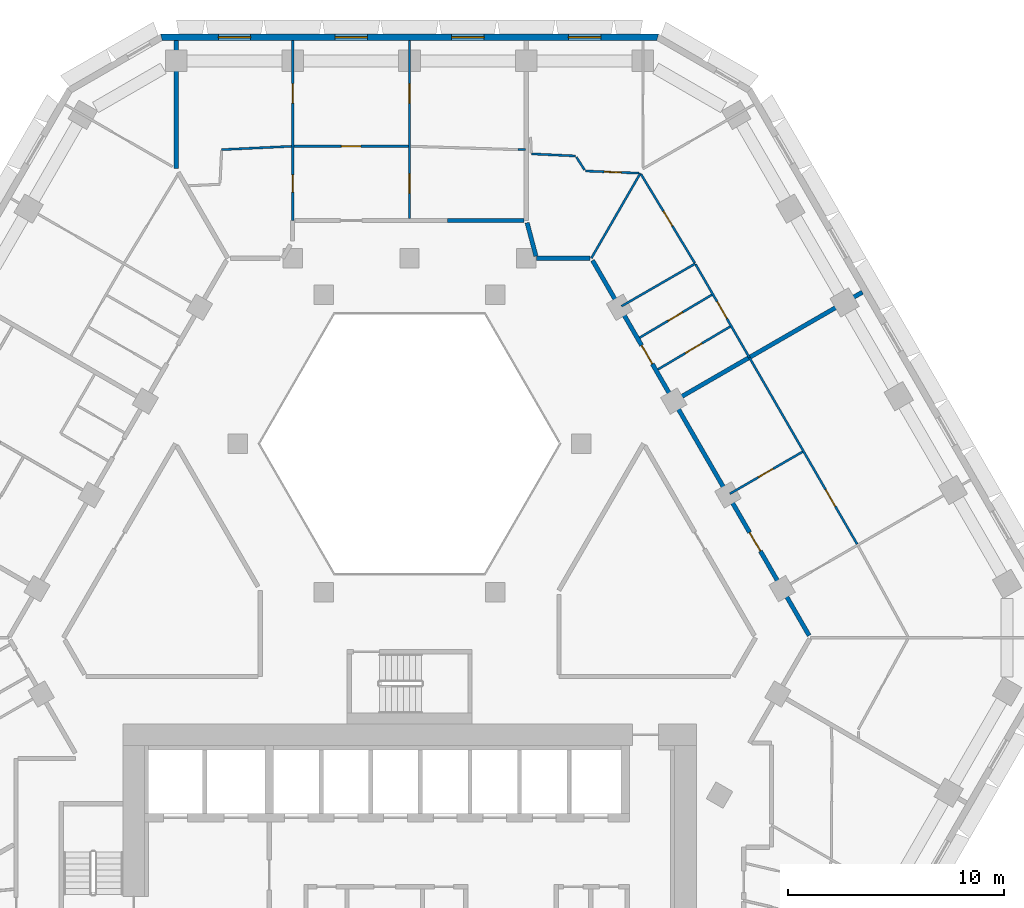
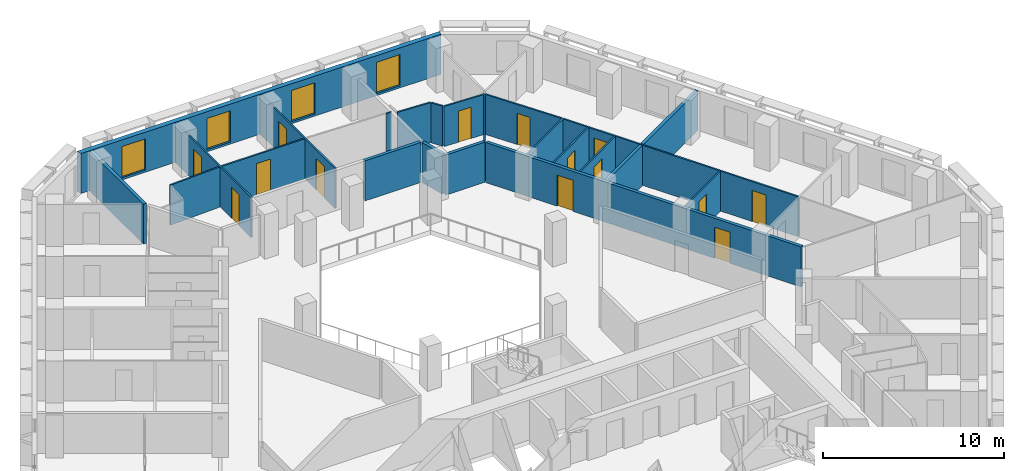
# One storey, part 9 of 16: 23 walls, 14 doors, 4 windows, 18 openings.
"""IFC4 building model written with IfcOpenShell, lengths in metres."""

from ifc_helpers import new_model, si_unit, direction, frame, frame_2d, origin, place, context, subcontext, project, spatial, polyline, rectangle, outline, extrude, material, layer, layer_set, type_object, element, fill, save


model = new_model("IFC4")

# Units and contexts
model_context = context("Model", 3, precision=1e-05, world=origin(), true_north=direction((0.0, 1.0)))
body_context = subcontext(model_context, "Body", "Model", "MODEL_VIEW")
ifc_project = project(units=[si_unit("LENGTHUNIT", "METRE"), si_unit("AREAUNIT", "SQUARE_METRE"), si_unit("VOLUMEUNIT", "CUBIC_METRE"), si_unit("PLANEANGLEUNIT", "RADIAN"), si_unit("MASSUNIT", "GRAM", prefix="KILO")], contexts=[model_context])

# Site, building, storey
site_placement = place(None, origin())
site = spatial("IfcSite", under=ifc_project, at=site_placement, CompositionType="ELEMENT")
building_placement = place(site_placement, origin())
building = spatial("IfcBuilding", under=site, at=building_placement, Name="Beryl Residences", CompositionType="ELEMENT")
storey_placement = place(building_placement, frame((0.0, 0.0, 90.0)))
storey = spatial("IfcBuildingStorey", under=building, at=storey_placement, Name="L27", CompositionType="ELEMENT", Elevation=90.0)

# Wall, openings, windows
ifc_material_1 = material(Name="Composite metal panel with mineral wool insulation")
ifc_layer_1 = layer(ifc_material_1, 0.300048828125)
ifc_layer_set_1 = layer_set([ifc_layer_1], Name="ES1 pale metal composite panel wall 300 mm")
wall_type_1 = type_object("IfcWallType", Name="ES1 pale metal composite panel wall 300 mm", PredefinedType="SOLIDWALL", material=ifc_layer_set_1)
wall_1_placement = place(storey_placement, frame((11.547119140625, 26.85009765625, 0.0), z_axis=(0.0, 0.0, 1.0), x_axis=(-1.0, 0.0, 0.0)))
wall_1 = element("IfcWall", 1, at=wall_1_placement, inside=storey, type_object=wall_type_1, Name="ES1 external wall L27 N", PredefinedType="SOLIDWALL", context=body_context, shape_type="SweptSolid", body=[
    extrude(outline(polyline([(0.0, -0.14990234375), (23.09423828125, -0.14990234375), (23.013916015625, 0.14990234375), (0.080322265625, 0.14990234375), (0.0, -0.14990234375)])), origin(), (0.0, 0.0, 1.0), 2.699951171875),
])
opening_1_placement = place(wall_1_placement, frame((2.677978515625, 0.0, 0.14990234375)))
opening_1 = element("IfcOpeningElement", 2, at=opening_1_placement, cuts=wall_1, Name="Opening W1", PredefinedType="OPENING", context=body_context, shape_type="SweptSolid", body=[
    extrude(rectangle(XDim=1.5, YDim=2.10009765625, at=frame_2d((0.75, 1.050048828125))), frame((0.0, 0.159912109375, 0.0), z_axis=(0.0, -1.0, 0.0), x_axis=(1.0, 0.0, 0.0)), (0.0, 0.0, 1.0), 0.320068359375),
])
opening_2_placement = place(wall_1_placement, frame((8.092041015625, 0.0, 0.14990234375)))
opening_2 = element("IfcOpeningElement", 3, at=opening_2_placement, cuts=wall_1, Name="Opening W1", PredefinedType="OPENING", context=body_context, shape_type="SweptSolid", body=[
    extrude(rectangle(XDim=1.5, YDim=2.10009765625, at=frame_2d((0.75, 1.050048828125))), frame((0.0, 0.159912109375, 0.0), z_axis=(0.0, -1.0, 0.0), x_axis=(1.0, 0.0, 0.0)), (0.0, 0.0, 1.0), 0.320068359375),
])
opening_3_placement = place(wall_1_placement, frame((13.50390625, 0.0, 0.14990234375)))
opening_3 = element("IfcOpeningElement", 4, at=opening_3_placement, cuts=wall_1, Name="Opening W1", PredefinedType="OPENING", context=body_context, shape_type="SweptSolid", body=[
    extrude(rectangle(XDim=1.5, YDim=2.10009765625, at=frame_2d((0.75, 1.050048828125))), frame((0.0, 0.159912109375, 0.0), z_axis=(0.0, -1.0, 0.0), x_axis=(1.0, 0.0, 0.0)), (0.0, 0.0, 1.0), 0.320068359375),
])
opening_4_placement = place(wall_1_placement, frame((18.9169921875, 0.0, 0.14990234375)))
opening_4 = element("IfcOpeningElement", 5, at=opening_4_placement, cuts=wall_1, Name="Opening W1", PredefinedType="OPENING", context=body_context, shape_type="SweptSolid", body=[
    extrude(rectangle(XDim=1.5, YDim=2.10009765625, at=frame_2d((0.75, 1.050048828125))), frame((0.0, 0.159912109375, 0.0), z_axis=(0.0, -1.0, 0.0), x_axis=(1.0, 0.0, 0.0)), (0.0, 0.0, 1.0), 0.320068359375),
])
ifc_material_2 = material(Name="Aluminium and clear glass", Category="aluminium")
window_type = type_object("IfcWindowType", Name="W1 cell window 1500 x 2100 mm", PartitioningType="SINGLE_PANEL", PredefinedType="WINDOW", material=ifc_material_2)
window_1_placement = place(opening_1_placement, origin())
window_1 = element("IfcWindow", 6, at=window_1_placement, inside=storey, type_object=window_type, Name="W1 window L27 N 2", OverallHeight=2.10009765625, OverallWidth=1.5, PartitioningType="SINGLE_PANEL", PredefinedType="WINDOW", context=body_context, shape_type="SweptSolid", body=[
    extrude(rectangle(XDim=1.5, YDim=2.10009765625, at=frame_2d((0.75, 1.050048828125))), frame((0.0, 0.030029296875, 0.0), z_axis=(0.0, -1.0, 0.0), x_axis=(1.0, 0.0, 0.0)), (0.0, 0.0, 1.0), 0.06005859375),
])
fill(opening_1, window_1)
window_2_placement = place(opening_2_placement, origin())
window_2 = element("IfcWindow", 7, at=window_2_placement, inside=storey, type_object=window_type, Name="W1 window L27 N 4", OverallHeight=2.10009765625, OverallWidth=1.5, PartitioningType="SINGLE_PANEL", PredefinedType="WINDOW", context=body_context, shape_type="SweptSolid", body=[
    extrude(rectangle(XDim=1.5, YDim=2.10009765625, at=frame_2d((0.75, 1.050048828125))), frame((0.0, 0.030029296875, 0.0), z_axis=(0.0, -1.0, 0.0), x_axis=(1.0, 0.0, 0.0)), (0.0, 0.0, 1.0), 0.06005859375),
])
fill(opening_2, window_2)
window_3_placement = place(opening_3_placement, origin())
window_3 = element("IfcWindow", 8, at=window_3_placement, inside=storey, type_object=window_type, Name="W1 window L27 N 6", OverallHeight=2.10009765625, OverallWidth=1.5, PartitioningType="SINGLE_PANEL", PredefinedType="WINDOW", context=body_context, shape_type="SweptSolid", body=[
    extrude(rectangle(XDim=1.5, YDim=2.10009765625, at=frame_2d((0.75, 1.050048828125))), frame((0.0, 0.030029296875, 0.0), z_axis=(0.0, -1.0, 0.0), x_axis=(1.0, 0.0, 0.0)), (0.0, 0.0, 1.0), 0.06005859375),
])
fill(opening_3, window_3)
window_4_placement = place(opening_4_placement, origin())
window_4 = element("IfcWindow", 9, at=window_4_placement, inside=storey, type_object=window_type, Name="W1 window L27 N 8", OverallHeight=2.10009765625, OverallWidth=1.5, PartitioningType="SINGLE_PANEL", PredefinedType="WINDOW", context=body_context, shape_type="SweptSolid", body=[
    extrude(rectangle(XDim=1.5, YDim=2.10009765625, at=frame_2d((0.75, 1.050048828125))), frame((0.0, 0.030029296875, 0.0), z_axis=(0.0, -1.0, 0.0), x_axis=(1.0, 0.0, 0.0)), (0.0, 0.0, 1.0), 0.06005859375),
])
fill(opening_4, window_4)

# Wall
ifc_material_3 = material(Name="Gypsum board partition on steel studs", Category="steel")
ifc_layer_2 = layer(ifc_material_3, 0.10009765625)
ifc_layer_set_2 = layer_set([ifc_layer_2], Name="PT1 partition 100 mm gypsum board on steel studs")
wall_type_2 = type_object("IfcWallType", Name="PT1 partition 100 mm gypsum board on steel studs", PredefinedType="PARTITIONING", material=ifc_layer_set_2)
wall_2_placement = place(storey_placement, frame((7.737060546875, 21.291015625, 0.0), z_axis=(0.0, 0.0, 1.0), x_axis=(0.540389876456, -0.841414749944, 0.0)))
element("IfcWall", 10, at=wall_2_placement, inside=storey, type_object=wall_type_2, Name="Wall PT1 L27 001", PredefinedType="PARTITIONING", context=body_context, shape_type="SweptSolid", body=[
    extrude(rectangle(XDim=0.704833984375, YDim=0.10009765625, at=frame_2d((0.3525390625, 0.0))), origin(), (0.0, 0.0, 1.0), 2.699951171875),
])

# Wall, opening, door
wall_3_placement = place(storey_placement, frame((10.738037109375, 20.491943359375, 0.0), z_axis=(0.0, 0.0, 1.0), x_axis=(0.518026330534, -0.85536467128, 0.0)))
wall_3 = element("IfcWall", 11, at=wall_3_placement, inside=storey, type_object=wall_type_2, Name="Wall PT1 L27 002", PredefinedType="PARTITIONING", context=body_context, shape_type="SweptSolid", body=[
    extrude(rectangle(XDim=4.814208984375, YDim=0.10009765625, at=frame_2d((2.4072265625, 0.0))), origin(), (0.0, 0.0, 1.0), 2.699951171875),
])
opening_5_placement = place(wall_3_placement, frame((2.001953125, 0.0, 0.0)))
opening_5 = element("IfcOpeningElement", 12, at=opening_5_placement, cuts=wall_3, Name="Opening D0928", PredefinedType="OPENING", context=body_context, shape_type="SweptSolid", body=[
    extrude(rectangle(XDim=0.800048828125, YDim=2.10009765625, at=frame_2d((0.39990234375, 1.050048828125))), frame((0.0, 0.06005859375, 0.0), z_axis=(0.0, -1.0, 0.0), x_axis=(1.0, 0.0, 0.0)), (0.0, 0.0, 1.0), 0.1201171875),
])
ifc_material_4 = material(Name="Timber door leaf", Category="wood")
door_type_1 = type_object("IfcDoorType", Name="D3 bathroom door 800 x 2100 mm", OperationType="SINGLE_SWING_LEFT", PredefinedType="DOOR", material=ifc_material_4)
door_1_placement = place(opening_5_placement, origin())
door_1 = element("IfcDoor", 13, at=door_1_placement, inside=storey, type_object=door_type_1, Name="Door D0928 L27 001", OperationType="SINGLE_SWING_RIGHT", OverallHeight=2.10009765625, OverallWidth=0.800048828125, PredefinedType="DOOR", context=body_context, shape_type="SweptSolid", body=[
    extrude(rectangle(XDim=0.800048828125, YDim=2.10009765625, at=frame_2d((0.39990234375, 1.050048828125))), frame((0.0, 0.02490234375, 0.0), z_axis=(0.0, -1.0, 0.0), x_axis=(1.0, 0.0, 0.0)), (0.0, 0.0, 1.0), 0.050048828125),
])
fill(opening_5, door_1)

wall_4_placement = place(storey_placement, frame((13.262939453125, 16.322021484375, 0.0), z_axis=(0.0, 0.0, 1.0), x_axis=(0.499946798379, -0.866056117576, 0.0)))
wall_4 = element("IfcWall", 14, at=wall_4_placement, inside=storey, type_object=wall_type_2, Name="Wall PT1 L27 003", PredefinedType="PARTITIONING", context=body_context, shape_type="SweptSolid", body=[
    extrude(rectangle(XDim=4.99267578125, YDim=0.10009765625, at=frame_2d((2.496337890625, 0.0))), origin(), (0.0, 0.0, 1.0), 2.699951171875),
])
opening_6_placement = place(wall_4_placement, frame((2.007080078125, 0.0, 0.0)))
opening_6 = element("IfcOpeningElement", 15, at=opening_6_placement, cuts=wall_4, Name="Opening D0926", PredefinedType="OPENING", context=body_context, shape_type="SweptSolid", body=[
    extrude(rectangle(XDim=0.89990234375, YDim=2.10009765625, at=frame_2d((0.449951171875, 1.050048828125))), frame((0.0, 0.06005859375, 0.0), z_axis=(0.0, -1.0, 0.0), x_axis=(1.0, 0.0, 0.0)), (0.0, 0.0, 1.0), 0.1201171875),
])
ifc_material_5 = material(Name="Timber door leaf", Category="wood")
door_type_2 = type_object("IfcDoorType", Name="D2 room door 900 x 2100 mm", OperationType="SINGLE_SWING_LEFT", PredefinedType="DOOR", material=ifc_material_5)
door_2_placement = place(opening_6_placement, origin())
door_2 = element("IfcDoor", 16, at=door_2_placement, inside=storey, type_object=door_type_2, Name="Door D0926 L27 001", OperationType="SINGLE_SWING_RIGHT", OverallHeight=2.10009765625, OverallWidth=0.89990234375, PredefinedType="DOOR", context=body_context, shape_type="SweptSolid", body=[
    extrude(rectangle(XDim=0.89990234375, YDim=2.10009765625, at=frame_2d((0.449951171875, 1.050048828125))), frame((0.0, 0.02490234375, 0.0), z_axis=(0.0, -1.0, 0.0), x_axis=(1.0, 0.0, 0.0)), (0.0, 0.0, 1.0), 0.050048828125),
])
fill(opening_6, door_2)

wall_5_placement = place(storey_placement, frame((8.15087890625, 20.64697265625, 0.0), z_axis=(0.0, 0.0, 1.0), x_axis=(0.999167241152, -0.040802257405, 0.0)))
wall_5 = element("IfcWall", 17, at=wall_5_placement, inside=storey, type_object=wall_type_2, Name="Wall PT1 L27 015", PredefinedType="PARTITIONING", context=body_context, shape_type="SweptSolid", body=[
    extrude(rectangle(XDim=2.501220703125, YDim=0.10009765625, at=frame_2d((1.25048828125, 0.0))), origin(), (0.0, 0.0, 1.0), 2.699951171875),
])
opening_7_placement = place(wall_5_placement, frame((0.87890625, 0.0, 0.0)))
opening_7 = element("IfcOpeningElement", 18, at=opening_7_placement, cuts=wall_5, Name="Opening D0930", PredefinedType="OPENING", context=body_context, shape_type="SweptSolid", body=[
    extrude(rectangle(XDim=0.800048828125, YDim=2.10009765625, at=frame_2d((0.39990234375, 1.050048828125))), frame((0.0, 0.06005859375, 0.0), z_axis=(0.0, -1.0, 0.0), x_axis=(1.0, 0.0, 0.0)), (0.0, 0.0, 1.0), 0.1201171875),
])
door_3_placement = place(opening_7_placement, origin())
door_3 = element("IfcDoor", 19, at=door_3_placement, inside=storey, type_object=door_type_1, Name="Door D0930 L27 001", OperationType="SINGLE_SWING_RIGHT", OverallHeight=2.10009765625, OverallWidth=0.800048828125, PredefinedType="DOOR", context=body_context, shape_type="SweptSolid", body=[
    extrude(rectangle(XDim=0.800048828125, YDim=2.10009765625, at=frame_2d((0.39990234375, 1.050048828125))), frame((0.0, 0.02490234375, 0.0), z_axis=(0.0, -1.0, 0.0), x_axis=(1.0, 0.0, 0.0)), (0.0, 0.0, 1.0), 0.050048828125),
])
fill(opening_7, door_3)

# Walls
wall_6_placement = place(storey_placement, frame((5.64892578125, 21.44091796875, 0.0), z_axis=(0.0, 0.0, 1.0), x_axis=(0.998867332207, -0.047582062273, 0.0)))
element("IfcWall", 20, at=wall_6_placement, inside=storey, type_object=wall_type_2, Name="Wall PT1 L27 016", PredefinedType="PARTITIONING", context=body_context, shape_type="SweptSolid", body=[
    extrude(rectangle(XDim=2.0576171875, YDim=0.10009765625, at=frame_2d((1.02880859375, 0.0))), origin(), (0.0, 0.0, 1.0), 2.699951171875),
])
wall_7_placement = place(storey_placement, frame((5.035888671875, 21.636962890625, 0.0), z_axis=(0.0, 0.0, 1.0), x_axis=(1.0, 0.0, 0.0)))
element("IfcWall", 21, at=wall_7_placement, inside=storey, type_object=wall_type_2, Name="Wall PT1 L27 030", PredefinedType="PARTITIONING", context=body_context, shape_type="SweptSolid", body=[
    extrude(rectangle(XDim=0.337158203125, YDim=0.10009765625, at=frame_2d((0.16845703125, 0.0))), origin(), (0.0, 0.0, 1.0), 2.699951171875),
])

# Wall, opening, door
wall_8_placement = place(storey_placement, frame((-5.364013671875, 21.7939453125, 0.0), z_axis=(0.0, 0.0, 1.0), x_axis=(1.0, 0.0, 0.0)))
wall_8 = element("IfcWall", 22, at=wall_8_placement, inside=storey, type_object=wall_type_2, Name="Wall PT1 L27 031", PredefinedType="PARTITIONING", context=body_context, shape_type="SweptSolid", body=[
    extrude(rectangle(XDim=5.31298828125, YDim=0.10009765625, at=frame_2d((2.656494140625, 0.0))), origin(), (0.0, 0.0, 1.0), 2.699951171875),
])
opening_8_placement = place(wall_8_placement, frame((2.20703125, 0.0, 0.0)))
opening_8 = element("IfcOpeningElement", 23, at=opening_8_placement, cuts=wall_8, Name="Opening D0932", PredefinedType="OPENING", context=body_context, shape_type="SweptSolid", body=[
    extrude(rectangle(XDim=0.89990234375, YDim=2.10009765625, at=frame_2d((0.449951171875, 1.050048828125))), frame((0.0, 0.06005859375, 0.0), z_axis=(0.0, -1.0, 0.0), x_axis=(1.0, 0.0, 0.0)), (0.0, 0.0, 1.0), 0.1201171875),
])
door_4_placement = place(opening_8_placement, origin())
door_4 = element("IfcDoor", 24, at=door_4_placement, inside=storey, type_object=door_type_2, Name="Door D0932 L27 001", OperationType="SINGLE_SWING_RIGHT", OverallHeight=2.10009765625, OverallWidth=0.89990234375, PredefinedType="DOOR", context=body_context, shape_type="SweptSolid", body=[
    extrude(rectangle(XDim=0.89990234375, YDim=2.10009765625, at=frame_2d((0.449951171875, 1.050048828125))), frame((0.0, 0.02490234375, 0.0), z_axis=(0.0, -1.0, 0.0), x_axis=(1.0, 0.0, 0.0)), (0.0, 0.0, 1.0), 0.050048828125),
])
fill(opening_8, door_4)

# Wall
wall_9_placement = place(storey_placement, frame((8.429931640625, 16.60009765625, 0.0), z_axis=(0.0, 0.0, 1.0), x_axis=(0.499951460778, 0.866053426104, 0.0)))
element("IfcWall", 25, at=wall_9_placement, inside=storey, type_object=wall_type_2, Name="Wall PT1 L27 035", PredefinedType="PARTITIONING", context=body_context, shape_type="SweptSolid", body=[
    extrude(rectangle(XDim=4.552734375, YDim=0.10009765625, at=frame_2d((2.2763671875, 0.0))), origin(), (0.0, 0.0, 1.0), 2.699951171875),
])

# Wall, openings, doors
wall_10_placement = place(storey_placement, frame((-0.0009765625, 18.449951171875, 0.0), z_axis=(0.0, 0.0, 1.0), x_axis=(0.0, 1.0, 0.0)))
wall_10 = element("IfcWall", 26, at=wall_10_placement, inside=storey, type_object=wall_type_2, Name="Wall PT1 L27 051", PredefinedType="PARTITIONING", context=body_context, shape_type="SweptSolid", body=[
    extrude(rectangle(XDim=8.25, YDim=0.10009765625, at=frame_2d((4.125, 0.0))), origin(), (0.0, 0.0, 1.0), 2.699951171875),
])
opening_9_placement = place(wall_10_placement, frame((1.172119140625, 0.0, 0.0)))
opening_9 = element("IfcOpeningElement", 27, at=opening_9_placement, cuts=wall_10, Name="Opening D0934", PredefinedType="OPENING", context=body_context, shape_type="SweptSolid", body=[
    extrude(rectangle(XDim=0.89990234375, YDim=2.10009765625, at=frame_2d((0.449951171875, 1.050048828125))), frame((0.0, 0.06005859375, 0.0), z_axis=(0.0, -1.0, 0.0), x_axis=(1.0, 0.0, 0.0)), (0.0, 0.0, 1.0), 0.1201171875),
])
opening_10_placement = place(wall_10_placement, frame((5.346923828125, 0.0, 0.0)))
opening_10 = element("IfcOpeningElement", 28, at=opening_10_placement, cuts=wall_10, Name="Opening D0935", PredefinedType="OPENING", context=body_context, shape_type="SweptSolid", body=[
    extrude(rectangle(XDim=0.89990234375, YDim=2.10009765625, at=frame_2d((0.449951171875, 1.050048828125))), frame((0.0, 0.06005859375, 0.0), z_axis=(0.0, -1.0, 0.0), x_axis=(1.0, 0.0, 0.0)), (0.0, 0.0, 1.0), 0.1201171875),
])
door_5_placement = place(opening_9_placement, origin())
door_5 = element("IfcDoor", 29, at=door_5_placement, inside=storey, type_object=door_type_2, Name="Door D0934 L27 001", OperationType="SINGLE_SWING_RIGHT", OverallHeight=2.10009765625, OverallWidth=0.89990234375, PredefinedType="DOOR", context=body_context, shape_type="SweptSolid", body=[
    extrude(rectangle(XDim=0.89990234375, YDim=2.10009765625, at=frame_2d((0.449951171875, 1.050048828125))), frame((0.0, 0.02490234375, 0.0), z_axis=(0.0, -1.0, 0.0), x_axis=(1.0, 0.0, 0.0)), (0.0, 0.0, 1.0), 0.050048828125),
])
fill(opening_9, door_5)
door_6_placement = place(opening_10_placement, origin())
door_6 = element("IfcDoor", 30, at=door_6_placement, inside=storey, type_object=door_type_2, Name="Door D0935 L27 001", OperationType="SINGLE_SWING_LEFT", OverallHeight=2.10009765625, OverallWidth=0.89990234375, PredefinedType="DOOR", context=body_context, shape_type="SweptSolid", body=[
    extrude(rectangle(XDim=0.89990234375, YDim=2.10009765625, at=frame_2d((0.449951171875, 1.050048828125))), frame((0.0, 0.02490234375, 0.0), z_axis=(0.0, -1.0, 0.0), x_axis=(1.0, 0.0, 0.0)), (0.0, 0.0, 1.0), 0.050048828125),
])
fill(opening_10, door_6)

wall_11_placement = place(storey_placement, frame((-5.4140625, 18.35009765625, 0.0), z_axis=(0.0, 0.0, 1.0), x_axis=(0.0, 1.0, 0.0)))
wall_11 = element("IfcWall", 31, at=wall_11_placement, inside=storey, type_object=wall_type_2, Name="Wall PT1 L27 052", PredefinedType="PARTITIONING", context=body_context, shape_type="SweptSolid", body=[
    extrude(rectangle(XDim=8.349853515625, YDim=0.10009765625, at=frame_2d((4.1748046875, 0.0))), origin(), (0.0, 0.0, 1.0), 2.699951171875),
])
opening_11_placement = place(wall_11_placement, frame((1.322021484375, 0.0, 0.0)))
opening_11 = element("IfcOpeningElement", 32, at=opening_11_placement, cuts=wall_11, Name="Opening D0933", PredefinedType="OPENING", context=body_context, shape_type="SweptSolid", body=[
    extrude(rectangle(XDim=0.800048828125, YDim=2.10009765625, at=frame_2d((0.39990234375, 1.050048828125))), frame((0.0, 0.06005859375, 0.0), z_axis=(0.0, -1.0, 0.0), x_axis=(1.0, 0.0, 0.0)), (0.0, 0.0, 1.0), 0.1201171875),
])
opening_12_placement = place(wall_11_placement, frame((5.447021484375, 0.0, 0.0)))
opening_12 = element("IfcOpeningElement", 33, at=opening_12_placement, cuts=wall_11, Name="Opening D0936", PredefinedType="OPENING", context=body_context, shape_type="SweptSolid", body=[
    extrude(rectangle(XDim=0.89990234375, YDim=2.10009765625, at=frame_2d((0.449951171875, 1.050048828125))), frame((0.0, 0.06005859375, 0.0), z_axis=(0.0, -1.0, 0.0), x_axis=(1.0, 0.0, 0.0)), (0.0, 0.0, 1.0), 0.1201171875),
])
door_7_placement = place(opening_12_placement, origin())
door_7 = element("IfcDoor", 34, at=door_7_placement, inside=storey, type_object=door_type_2, Name="Door D0936 L27 001", OperationType="SINGLE_SWING_RIGHT", OverallHeight=2.10009765625, OverallWidth=0.89990234375, PredefinedType="DOOR", context=body_context, shape_type="SweptSolid", body=[
    extrude(rectangle(XDim=0.89990234375, YDim=2.10009765625, at=frame_2d((0.449951171875, 1.050048828125))), frame((0.0, 0.02490234375, 0.0), z_axis=(0.0, -1.0, 0.0), x_axis=(1.0, 0.0, 0.0)), (0.0, 0.0, 1.0), 0.050048828125),
])
fill(opening_12, door_7)
door_8_placement = place(opening_11_placement, origin())
door_8 = element("IfcDoor", 35, at=door_8_placement, inside=storey, type_object=door_type_1, Name="Door D0933 L27 001", OperationType="SINGLE_SWING_LEFT", OverallHeight=2.10009765625, OverallWidth=0.800048828125, PredefinedType="DOOR", context=body_context, shape_type="SweptSolid", body=[
    extrude(rectangle(XDim=0.800048828125, YDim=2.10009765625, at=frame_2d((0.39990234375, 1.050048828125))), frame((0.0, 0.02490234375, 0.0), z_axis=(0.0, -1.0, 0.0), x_axis=(1.0, 0.0, 0.0)), (0.0, 0.0, 1.0), 0.050048828125),
])
fill(opening_11, door_8)

# Wall
wall_12_placement = place(storey_placement, frame((-8.714111328125, 21.636962890625, 0.0), z_axis=(0.0, 0.0, 1.0), x_axis=(0.998864229829, 0.047647144377, 0.0)))
element("IfcWall", 36, at=wall_12_placement, inside=storey, type_object=wall_type_2, Name="Wall PT1 L27 058", PredefinedType="PARTITIONING", context=body_context, shape_type="SweptSolid", body=[
    extrude(rectangle(XDim=3.253662109375, YDim=0.10009765625, at=frame_2d((1.626953125, 0.0))), origin(), (0.0, 0.0, 1.0), 2.699951171875),
])

# Wall, opening, door
wall_13_placement = place(storey_placement, frame((14.85302734375, 5.675048828125, 0.0), z_axis=(0.0, 0.0, 1.0), x_axis=(0.865979019114, 0.500080332001, 0.0)))
wall_13 = element("IfcWall", 37, at=wall_13_placement, inside=storey, type_object=wall_type_2, Name="Wall PT1 L27 061", PredefinedType="PARTITIONING", context=body_context, shape_type="SweptSolid", body=[
    extrude(rectangle(XDim=3.897216796875, YDim=0.10009765625, at=frame_2d((1.94873046875, 0.0))), origin(), (0.0, 0.0, 1.0), 2.699951171875),
])
opening_13_placement = place(wall_13_placement, frame((1.52392578125, 0.0, 0.0)))
opening_13 = element("IfcOpeningElement", 38, at=opening_13_placement, cuts=wall_13, Name="Opening D0918", PredefinedType="OPENING", context=body_context, shape_type="SweptSolid", body=[
    extrude(rectangle(XDim=0.800048828125, YDim=2.10009765625, at=frame_2d((0.39990234375, 1.050048828125))), frame((0.0, 0.06005859375, 0.0), z_axis=(0.0, -1.0, 0.0), x_axis=(1.0, 0.0, 0.0)), (0.0, 0.0, 1.0), 0.1201171875),
])
door_9_placement = place(opening_13_placement, origin())
door_9 = element("IfcDoor", 39, at=door_9_placement, inside=storey, type_object=door_type_1, Name="Door D0918 L27 001", OperationType="SINGLE_SWING_RIGHT", OverallHeight=2.10009765625, OverallWidth=0.800048828125, PredefinedType="DOOR", context=body_context, shape_type="SweptSolid", body=[
    extrude(rectangle(XDim=0.800048828125, YDim=2.10009765625, at=frame_2d((0.39990234375, 1.050048828125))), frame((0.0, 0.02490234375, 0.0), z_axis=(0.0, -1.0, 0.0), x_axis=(1.0, 0.0, 0.0)), (0.0, 0.0, 1.0), 0.050048828125),
])
fill(opening_13, door_9)

# Wall
wall_14_placement = place(storey_placement, frame((9.830078125, 14.375, 0.0), z_axis=(0.0, 0.0, 1.0), x_axis=(0.866076396086, 0.499911668341, 0.0)))
element("IfcWall", 40, at=wall_14_placement, inside=storey, type_object=wall_type_2, Name="Wall PT1 L27 064", PredefinedType="PARTITIONING", context=body_context, shape_type="SweptSolid", body=[
    extrude(rectangle(XDim=3.946533203125, YDim=0.10009765625, at=frame_2d((1.97314453125, 0.0))), origin(), (0.0, 0.0, 1.0), 2.699951171875),
])

# Wall, opening, door
wall_15_placement = place(storey_placement, frame((11.52197265625, 11.444091796875, 0.0), z_axis=(0.0, 0.0, 1.0), x_axis=(0.860134781641, 0.510066816615, 0.0)))
wall_15 = element("IfcWall", 41, at=wall_15_placement, inside=storey, type_object=wall_type_2, Name="Wall PT1 L27 067", PredefinedType="PARTITIONING", context=body_context, shape_type="SweptSolid", body=[
    extrude(rectangle(XDim=3.897216796875, YDim=0.10009765625, at=frame_2d((1.94873046875, 0.0))), origin(), (0.0, 0.0, 1.0), 2.699951171875),
])
opening_14_placement = place(wall_15_placement, frame((1.472900390625, 0.0, 0.0)))
opening_14 = element("IfcOpeningElement", 42, at=opening_14_placement, cuts=wall_15, Name="Opening D0925", PredefinedType="OPENING", context=body_context, shape_type="SweptSolid", body=[
    extrude(rectangle(XDim=0.89990234375, YDim=2.10009765625, at=frame_2d((0.449951171875, 1.050048828125))), frame((0.0, 0.06005859375, 0.0), z_axis=(0.0, -1.0, 0.0), x_axis=(1.0, 0.0, 0.0)), (0.0, 0.0, 1.0), 0.1201171875),
])
door_10_placement = place(opening_14_placement, origin())
door_10 = element("IfcDoor", 43, at=door_10_placement, inside=storey, type_object=door_type_2, Name="Door D0925 L27 001", OperationType="SINGLE_SWING_LEFT", OverallHeight=2.10009765625, OverallWidth=0.89990234375, PredefinedType="DOOR", context=body_context, shape_type="SweptSolid", body=[
    extrude(rectangle(XDim=0.89990234375, YDim=2.10009765625, at=frame_2d((0.449951171875, 1.050048828125))), frame((0.0, 0.02490234375, 0.0), z_axis=(0.0, -1.0, 0.0), x_axis=(1.0, 0.0, 0.0)), (0.0, 0.0, 1.0), 0.050048828125),
])
fill(opening_14, door_10)

wall_16_placement = place(storey_placement, frame((10.672119140625, 12.916015625, 0.0), z_axis=(0.0, 0.0, 1.0), x_axis=(0.859981037235, 0.510325989537, 0.0)))
wall_16 = element("IfcWall", 44, at=wall_16_placement, inside=storey, type_object=wall_type_2, Name="Wall PT1 L27 068", PredefinedType="PARTITIONING", context=body_context, shape_type="SweptSolid", body=[
    extrude(rectangle(XDim=3.8974609375, YDim=0.10009765625, at=frame_2d((1.94873046875, 0.0))), origin(), (0.0, 0.0, 1.0), 2.699951171875),
])
opening_15_placement = place(wall_16_placement, frame((1.52294921875, 0.0, 0.0)))
opening_15 = element("IfcOpeningElement", 45, at=opening_15_placement, cuts=wall_16, Name="Opening D0924", PredefinedType="OPENING", context=body_context, shape_type="SweptSolid", body=[
    extrude(rectangle(XDim=0.800048828125, YDim=2.10009765625, at=frame_2d((0.39990234375, 1.050048828125))), frame((0.0, 0.06005859375, 0.0), z_axis=(0.0, -1.0, 0.0), x_axis=(1.0, 0.0, 0.0)), (0.0, 0.0, 1.0), 0.1201171875),
])
door_11_placement = place(opening_15_placement, origin())
door_11 = element("IfcDoor", 46, at=door_11_placement, inside=storey, type_object=door_type_1, Name="Door D0924 L27 001", OperationType="SINGLE_SWING_RIGHT", OverallHeight=2.10009765625, OverallWidth=0.800048828125, PredefinedType="DOOR", context=body_context, shape_type="SweptSolid", body=[
    extrude(rectangle(XDim=0.800048828125, YDim=2.10009765625, at=frame_2d((0.39990234375, 1.050048828125))), frame((0.0, 0.02490234375, 0.0), z_axis=(0.0, -1.0, 0.0), x_axis=(1.0, 0.0, 0.0)), (0.0, 0.0, 1.0), 0.050048828125),
])
fill(opening_15, door_11)

wall_17_placement = place(storey_placement, frame((15.759033203125, 11.998046875, 0.0), z_axis=(0.0, 0.0, 1.0), x_axis=(0.500068444113, -0.865985883951, 0.0)))
wall_17 = element("IfcWall", 47, at=wall_17_placement, inside=storey, type_object=wall_type_2, Name="Wall PT1 L27 069", PredefinedType="PARTITIONING", context=body_context, shape_type="SweptSolid", body=[
    extrude(rectangle(XDim=9.99658203125, YDim=0.10009765625, at=frame_2d((4.998291015625, 0.0))), origin(), (0.0, 0.0, 1.0), 2.699951171875),
])
opening_16_placement = place(wall_17_placement, frame((7.073974609375, 0.0, 0.0)))
opening_16 = element("IfcOpeningElement", 48, at=opening_16_placement, cuts=wall_17, Name="Opening D0917", PredefinedType="OPENING", context=body_context, shape_type="SweptSolid", body=[
    extrude(rectangle(XDim=0.89990234375, YDim=2.10009765625, at=frame_2d((0.449951171875, 1.050048828125))), frame((0.0, 0.06005859375, 0.0), z_axis=(0.0, -1.0, 0.0), x_axis=(1.0, 0.0, 0.0)), (0.0, 0.0, 1.0), 0.1201171875),
])
door_12_placement = place(opening_16_placement, origin())
door_12 = element("IfcDoor", 49, at=door_12_placement, inside=storey, type_object=door_type_2, Name="Door D0917 L27 001", OperationType="SINGLE_SWING_LEFT", OverallHeight=2.10009765625, OverallWidth=0.89990234375, PredefinedType="DOOR", context=body_context, shape_type="SweptSolid", body=[
    extrude(rectangle(XDim=0.89990234375, YDim=2.10009765625, at=frame_2d((0.449951171875, 1.050048828125))), frame((0.0, 0.02490234375, 0.0), z_axis=(0.0, -1.0, 0.0), x_axis=(1.0, 0.0, 0.0)), (0.0, 0.0, 1.0), 0.050048828125),
])
fill(opening_16, door_12)

# Walls
ifc_material_6 = material(Name="Acoustic double stud gypsum board wall")
ifc_layer_3 = layer(ifc_material_6, 0.199951171875)
ifc_layer_set_3 = layer_set([ifc_layer_3], Name="PT3 party wall 200 mm acoustic double stud")
wall_type_3 = type_object("IfcWallType", Name="PT3 party wall 200 mm acoustic double stud", PredefinedType="PARTITIONING", material=ifc_layer_set_3)
wall_18_placement = place(storey_placement, frame((-10.826904296875, 20.7529296875, 0.0), z_axis=(0.0, 0.0, 1.0), x_axis=(0.0, 1.0, 0.0)))
element("IfcWall", 50, at=wall_18_placement, inside=storey, type_object=wall_type_3, Name="Wall PT3 L27 008", PredefinedType="PARTITIONING", context=body_context, shape_type="SweptSolid", body=[
    extrude(rectangle(XDim=5.947021484375, YDim=0.199951171875, at=frame_2d((2.9736328125, 0.0))), origin(), (0.0, 0.0, 1.0), 2.699951171875),
])
wall_19_placement = place(storey_placement, frame((12.342041015625, 10.02490234375, 0.0), z_axis=(0.0, 0.0, 1.0), x_axis=(0.865992435864, 0.500057097767, 0.0)))
element("IfcWall", 51, at=wall_19_placement, inside=storey, type_object=wall_type_3, Name="Wall PT3 L27 011", PredefinedType="PARTITIONING", context=body_context, shape_type="SweptSolid", body=[
    extrude(rectangle(XDim=9.998779296875, YDim=0.199951171875, at=frame_2d((4.99951171875, 0.0))), origin(), (0.0, 0.0, 1.0), 2.699951171875),
])
ifc_material_7 = material(Name="Double stud gypsum board wall")
ifc_layer_4 = layer(ifc_material_7, 0.199951171875)
ifc_layer_set_4 = layer_set([ifc_layer_4], Name="PT4 corridor wall 200 mm double stud")
wall_type_4 = type_object("IfcWallType", Name="PT4 corridor wall 200 mm double stud", PredefinedType="PARTITIONING", material=ifc_layer_set_4)
wall_20_placement = place(storey_placement, frame((5.452880859375, 18.2490234375, 0.0), z_axis=(0.0, 0.0, 1.0), x_axis=(0.255385747764, -0.966839241983, 0.0)))
element("IfcWall", 52, at=wall_20_placement, inside=storey, type_object=wall_type_4, Name="Wall PT4 L27 004", PredefinedType="PARTITIONING", context=body_context, shape_type="SweptSolid", body=[
    extrude(rectangle(XDim=1.602294921875, YDim=0.199951171875, at=frame_2d((0.80126953125, 0.0))), origin(), (0.0, 0.0, 1.0), 2.699951171875),
])

# Wall, openings, doors
wall_21_placement = place(storey_placement, frame((8.488037109375, 16.5, 0.0), z_axis=(0.0, 0.0, 1.0), x_axis=(0.499986836607, -0.86603300354, 0.0)))
wall_21 = element("IfcWall", 53, at=wall_21_placement, inside=storey, type_object=wall_type_4, Name="Wall PT4 L27 006", PredefinedType="PARTITIONING", context=body_context, shape_type="SweptSolid", body=[
    extrude(rectangle(XDim=20.09033203125, YDim=0.199951171875, at=frame_2d((10.045166015625, 0.0))), origin(), (0.0, 0.0, 1.0), 2.699951171875),
])
opening_17_placement = place(wall_21_placement, frame((14.569091796875, 0.0, 0.0)))
opening_17 = element("IfcOpeningElement", 54, at=opening_17_placement, cuts=wall_21, Name="Opening D0916", PredefinedType="OPENING", context=body_context, shape_type="SweptSolid", body=[
    extrude(rectangle(XDim=1.0, YDim=2.10009765625, at=frame_2d((0.5, 1.050048828125))), frame((0.0, 0.10986328125, 0.0), z_axis=(0.0, -1.0, 0.0), x_axis=(1.0, 0.0, 0.0)), (0.0, 0.0, 1.0), 0.219970703125),
])
opening_18_placement = place(wall_21_placement, frame((4.547119140625, 0.0, 0.0)))
opening_18 = element("IfcOpeningElement", 55, at=opening_18_placement, cuts=wall_21, Name="Opening D0923", PredefinedType="OPENING", context=body_context, shape_type="SweptSolid", body=[
    extrude(rectangle(XDim=1.0, YDim=2.10009765625, at=frame_2d((0.5, 1.050048828125))), frame((0.0, 0.10986328125, 0.0), z_axis=(0.0, -1.0, 0.0), x_axis=(1.0, 0.0, 0.0)), (0.0, 0.0, 1.0), 0.219970703125),
])
ifc_material_8 = material(Name="Timber door leaf", Category="wood")
door_type_3 = type_object("IfcDoorType", Name="D1 flat entrance door 1000 x 2100 mm", OperationType="SINGLE_SWING_LEFT", PredefinedType="DOOR", material=ifc_material_8)
door_13_placement = place(opening_17_placement, origin())
door_13 = element("IfcDoor", 56, at=door_13_placement, inside=storey, type_object=door_type_3, Name="Door D0916 L27 001", OperationType="SINGLE_SWING_RIGHT", OverallHeight=2.10009765625, OverallWidth=1.0, PredefinedType="DOOR", context=body_context, shape_type="SweptSolid", body=[
    extrude(rectangle(XDim=1.0, YDim=2.10009765625, at=frame_2d((0.5, 1.050048828125))), frame((0.0, 0.02490234375, 0.0), z_axis=(0.0, -1.0, 0.0), x_axis=(1.0, 0.0, 0.0)), (0.0, 0.0, 1.0), 0.050048828125),
])
fill(opening_17, door_13)
door_14_placement = place(opening_18_placement, origin())
door_14 = element("IfcDoor", 57, at=door_14_placement, inside=storey, type_object=door_type_3, Name="Door D0923 L27 001", OperationType="SINGLE_SWING_LEFT", OverallHeight=2.10009765625, OverallWidth=1.0, PredefinedType="DOOR", context=body_context, shape_type="SweptSolid", body=[
    extrude(rectangle(XDim=1.0, YDim=2.10009765625, at=frame_2d((0.5, 1.050048828125))), frame((0.0, 0.02490234375, 0.0), z_axis=(0.0, -1.0, 0.0), x_axis=(1.0, 0.0, 0.0)), (0.0, 0.0, 1.0), 0.050048828125),
])
fill(opening_18, door_14)

# Walls
wall_22_placement = place(storey_placement, frame((5.888916015625, 16.60009765625, 0.0), z_axis=(0.0, 0.0, 1.0), x_axis=(1.0, 0.0, 0.0)))
element("IfcWall", 58, at=wall_22_placement, inside=storey, type_object=wall_type_4, Name="Wall PT4 L27 020", PredefinedType="PARTITIONING", context=body_context, shape_type="SweptSolid", body=[
    extrude(rectangle(XDim=2.483154296875, YDim=0.199951171875, at=frame_2d((1.24169921875, 0.0))), origin(), (0.0, 0.0, 1.0), 2.699951171875),
])
wall_23_placement = place(storey_placement, frame((1.75, 18.34912109375, 0.0), z_axis=(0.0, 0.0, 1.0), x_axis=(1.0, 0.0, 0.0)))
element("IfcWall", 59, at=wall_23_placement, inside=storey, type_object=wall_type_4, Name="Wall PT4 L27 021", PredefinedType="PARTITIONING", context=body_context, shape_type="SweptSolid", body=[
    extrude(rectangle(XDim=3.56201171875, YDim=0.199951171875, at=frame_2d((1.781005859375, 0.0))), origin(), (0.0, 0.0, 1.0), 2.699951171875),
])

save(model, "model.ifc")
